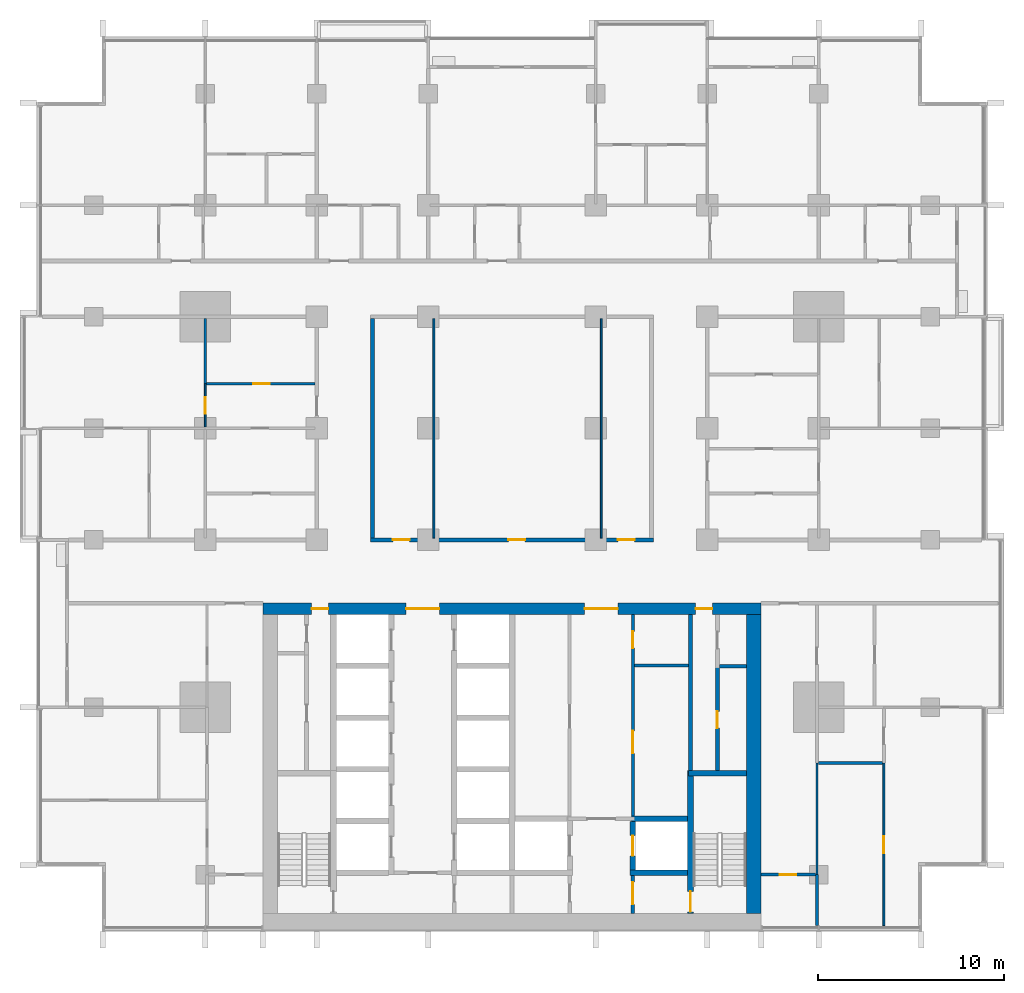
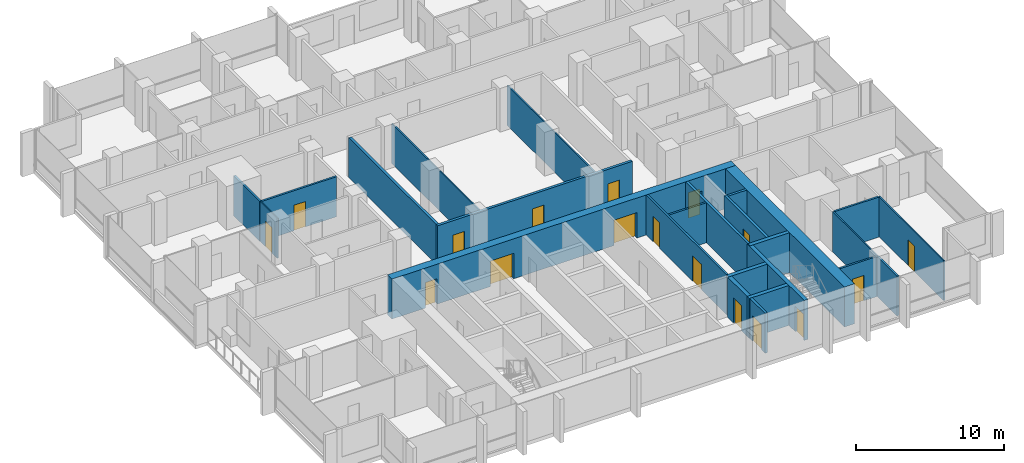
# One storey, part 9 of 19: 25 walls, 17 doors, 17 openings.
"""IFC4 building model written with IfcOpenShell, lengths in metres."""

from ifc_helpers import new_model, si_unit, direction, frame, frame_2d, origin, place, context, subcontext, project, spatial, rectangle, extrude, material, layer, layer_set, type_object, element, fill, save


model = new_model("IFC4")

# Units and contexts
model_context = context("Model", 3, precision=1e-05, world=origin(), true_north=direction((0.0, 1.0)))
body_context = subcontext(model_context, "Body", "Model", "MODEL_VIEW")
ifc_project = project(units=[si_unit("LENGTHUNIT", "METRE"), si_unit("AREAUNIT", "SQUARE_METRE"), si_unit("VOLUMEUNIT", "CUBIC_METRE"), si_unit("PLANEANGLEUNIT", "RADIAN"), si_unit("MASSUNIT", "GRAM", prefix="KILO")], contexts=[model_context])

# Site, building, storey
site_placement = place(None, origin())
site = spatial("IfcSite", under=ifc_project, at=site_placement, CompositionType="ELEMENT")
building_placement = place(site_placement, origin())
building = spatial("IfcBuilding", under=site, at=building_placement, Name="Finial Court Residences", CompositionType="ELEMENT")
storey_placement = place(building_placement, frame((0.0, 0.0, 88.300048828125)))
storey = spatial("IfcBuildingStorey", under=building, at=storey_placement, Name="L21", CompositionType="ELEMENT", Elevation=88.300048828125)

# Wall, openings, doors
ifc_material_1 = material(Name="Concrete C70/85", Category="concrete")
ifc_layer_1 = layer(ifc_material_1, 0.60009765625)
ifc_layer_set_1 = layer_set([ifc_layer_1], Name="Core outer wall 600 Concrete C70/85")
wall_type_1 = type_object("IfcWallType", Name="Core outer wall 600 Concrete C70/85", PredefinedType="SHEAR", material=ifc_layer_set_1)
wall_1_placement = place(storey_placement, frame((-13.39990234375, -8.199951171875, 0.0), z_axis=(0.0, 0.0, 1.0), x_axis=(1.0, 0.0, 0.0)))
wall_1 = element("IfcWall", 1, at=wall_1_placement, inside=storey, type_object=wall_type_1, Name="Core outer wall L21-02", PredefinedType="SHEAR", context=body_context, shape_type="SweptSolid", body=[
    extrude(rectangle(XDim=26.7998046875, YDim=0.60009765625, at=frame_2d((13.39990234375, 0.0))), origin(), (0.0, 0.0, 1.0), 3.300048828125),
])
opening_1_placement = place(wall_1_placement, frame((7.699951171875, 0.0, 0.0)))
opening_1 = element("IfcOpeningElement", 2, at=opening_1_placement, cuts=wall_1, Name="Opening L21-C04", PredefinedType="OPENING", context=body_context, shape_type="SweptSolid", body=[
    extrude(rectangle(XDim=1.800048828125, YDim=2.10009765625, at=frame_2d((0.89990234375, 1.050048828125))), frame((0.0, 0.31005859375, 0.0), z_axis=(0.0, -1.0, 0.0), x_axis=(1.0, 0.0, 0.0)), (0.0, 0.0, 1.0), 0.6201171875),
])
opening_2_placement = place(wall_1_placement, frame((17.300048828125, 0.0, 0.0)))
opening_2 = element("IfcOpeningElement", 3, at=opening_2_placement, cuts=wall_1, Name="Opening L21-C05", PredefinedType="OPENING", context=body_context, shape_type="SweptSolid", body=[
    extrude(rectangle(XDim=1.800048828125, YDim=2.10009765625, at=frame_2d((0.89990234375, 1.050048828125))), frame((0.0, 0.31005859375, 0.0), z_axis=(0.0, -1.0, 0.0), x_axis=(1.0, 0.0, 0.0)), (0.0, 0.0, 1.0), 0.6201171875),
])
opening_3_placement = place(wall_1_placement, frame((2.625, 0.0, 0.0)))
opening_3 = element("IfcOpeningElement", 4, at=opening_3_placement, cuts=wall_1, Name="Opening L21-C09", PredefinedType="OPENING", context=body_context, shape_type="SweptSolid", body=[
    extrude(rectangle(XDim=0.89990234375, YDim=2.10009765625, at=frame_2d((0.449951171875, 1.050048828125))), frame((0.0, 0.31005859375, 0.0), z_axis=(0.0, -1.0, 0.0), x_axis=(1.0, 0.0, 0.0)), (0.0, 0.0, 1.0), 0.6201171875),
])
opening_4_placement = place(wall_1_placement, frame((23.27490234375, 0.0, 0.0)))
opening_4 = element("IfcOpeningElement", 5, at=opening_4_placement, cuts=wall_1, Name="Opening L21-C10", PredefinedType="OPENING", context=body_context, shape_type="SweptSolid", body=[
    extrude(rectangle(XDim=0.89990234375, YDim=2.10009765625, at=frame_2d((0.449951171875, 1.050048828125))), frame((0.0, 0.31005859375, 0.0), z_axis=(0.0, -1.0, 0.0), x_axis=(1.0, 0.0, 0.0)), (0.0, 0.0, 1.0), 0.6201171875),
])
ifc_material_2 = material(Name="Steel fire door", Category="steel")
door_type_1 = type_object("IfcDoorType", Name="Lift lobby door 1800 x 2100 EI 60", OperationType="DOUBLE_DOOR_SINGLE_SWING", PredefinedType="DOOR", material=ifc_material_2)
door_1_placement = place(opening_1_placement, origin())
door_1 = element("IfcDoor", 6, at=door_1_placement, inside=storey, type_object=door_type_1, Name="Lift lobby door L21-C04", OperationType="DOUBLE_DOOR_SINGLE_SWING", OverallHeight=2.10009765625, OverallWidth=1.800048828125, PredefinedType="DOOR", context=body_context, shape_type="SweptSolid", body=[
    extrude(rectangle(XDim=1.800048828125, YDim=2.10009765625, at=frame_2d((0.89990234375, 1.050048828125))), frame((0.0, 0.02490234375, 0.0), z_axis=(0.0, -1.0, 0.0), x_axis=(1.0, 0.0, 0.0)), (0.0, 0.0, 1.0), 0.050048828125),
])
fill(opening_1, door_1)
door_2_placement = place(opening_2_placement, origin())
door_2 = element("IfcDoor", 7, at=door_2_placement, inside=storey, type_object=door_type_1, Name="Lift lobby door L21-C05", OperationType="DOUBLE_DOOR_SINGLE_SWING", OverallHeight=2.10009765625, OverallWidth=1.800048828125, PredefinedType="DOOR", context=body_context, shape_type="SweptSolid", body=[
    extrude(rectangle(XDim=1.800048828125, YDim=2.10009765625, at=frame_2d((0.89990234375, 1.050048828125))), frame((0.0, 0.02490234375, 0.0), z_axis=(0.0, -1.0, 0.0), x_axis=(1.0, 0.0, 0.0)), (0.0, 0.0, 1.0), 0.050048828125),
])
fill(opening_2, door_2)
door_type_2 = type_object("IfcDoorType", Name="Riser room door 900 x 2100 EI 90", OperationType="NOTDEFINED", PredefinedType="DOOR", material=ifc_material_2)
door_3_placement = place(opening_3_placement, origin())
door_3 = element("IfcDoor", 8, at=door_3_placement, inside=storey, type_object=door_type_2, Name="Riser room door L21-C09", OperationType="SINGLE_SWING_RIGHT", OverallHeight=2.10009765625, OverallWidth=0.89990234375, PredefinedType="DOOR", context=body_context, shape_type="SweptSolid", body=[
    extrude(rectangle(XDim=0.89990234375, YDim=2.10009765625, at=frame_2d((0.449951171875, 1.050048828125))), frame((0.0, 0.02490234375, 0.0), z_axis=(0.0, -1.0, 0.0), x_axis=(1.0, 0.0, 0.0)), (0.0, 0.0, 1.0), 0.050048828125),
])
fill(opening_3, door_3)
door_4_placement = place(opening_4_placement, origin())
door_4 = element("IfcDoor", 9, at=door_4_placement, inside=storey, type_object=door_type_2, Name="Riser room door L21-C10", OperationType="SINGLE_SWING_LEFT", OverallHeight=2.10009765625, OverallWidth=0.89990234375, PredefinedType="DOOR", context=body_context, shape_type="SweptSolid", body=[
    extrude(rectangle(XDim=0.89990234375, YDim=2.10009765625, at=frame_2d((0.449951171875, 1.050048828125))), frame((0.0, 0.02490234375, 0.0), z_axis=(0.0, -1.0, 0.0), x_axis=(1.0, 0.0, 0.0)), (0.0, 0.0, 1.0), 0.050048828125),
])
fill(opening_4, door_4)

# Walls
ifc_layer_2 = layer(ifc_material_1, 0.800048828125)
ifc_layer_set_2 = layer_set([ifc_layer_2], Name="Core outer wall 800 Concrete C70/85")
wall_type_2 = type_object("IfcWallType", Name="Core outer wall 800 Concrete C70/85", PredefinedType="SHEAR", material=ifc_layer_set_2)
wall_2_placement = place(storey_placement, frame((13.0, -24.60009765625, 0.0), z_axis=(0.0, 0.0, 1.0), x_axis=(0.0, 1.0, 0.0)))
element("IfcWall", 10, at=wall_2_placement, inside=storey, type_object=wall_type_2, Name="Core outer wall L21-04", PredefinedType="SHEAR", context=body_context, shape_type="SweptSolid", body=[
    extrude(rectangle(XDim=16.10009765625, YDim=0.800048828125, at=frame_2d((8.050048828125, 0.0))), origin(), (0.0, 0.0, 1.0), 3.300048828125),
])
ifc_material_3 = material(Name="Fire-rated gypsum board partition")
ifc_layer_3 = layer(ifc_material_3, 0.14990234375)
ifc_layer_set_3 = layer_set([ifc_layer_3], Name="Core room partition 150 EI 60")
wall_type_3 = type_object("IfcWallType", Name="Core room partition 150 EI 60", PredefinedType="PARTITIONING", material=ifc_layer_set_3)
wall_3_placement = place(storey_placement, frame((6.574951171875, -11.25, 0.0), z_axis=(0.0, 0.0, 1.0), x_axis=(1.0, 0.0, 0.0)))
element("IfcWall", 11, at=wall_3_placement, inside=storey, type_object=wall_type_3, Name="Core partition L21-19", PredefinedType="PARTITIONING", context=body_context, shape_type="SweptSolid", body=[
    extrude(rectangle(XDim=2.925048828125, YDim=0.14990234375, at=frame_2d((1.46240234375, 0.0))), origin(), (0.0, 0.0, 1.0), 3.300048828125),
])

# Wall, openings, doors
wall_4_placement = place(storey_placement, frame((6.5, -8.5, 0.0), z_axis=(0.0, 0.0, 1.0), x_axis=(0.0, -1.0, 0.0)))
wall_4 = element("IfcWall", 12, at=wall_4_placement, inside=storey, type_object=wall_type_3, Name="Core partition L21-35", PredefinedType="PARTITIONING", context=body_context, shape_type="SweptSolid", body=[
    extrude(rectangle(XDim=10.85009765625, YDim=0.14990234375, at=frame_2d((5.425048828125, 0.0))), origin(), (0.0, 0.0, 1.0), 3.300048828125),
])
opening_5_placement = place(wall_4_placement, frame((6.27490234375, 0.0, 0.0)))
opening_5 = element("IfcOpeningElement", 13, at=opening_5_placement, cuts=wall_4, Name="Opening L21-C15", PredefinedType="OPENING", context=body_context, shape_type="SweptSolid", body=[
    extrude(rectangle(XDim=1.199951171875, YDim=2.10009765625, at=frame_2d((0.60009765625, 1.050048828125))), frame((0.0, 0.0849609375, 0.0), z_axis=(0.0, -1.0, 0.0), x_axis=(1.0, 0.0, 0.0)), (0.0, 0.0, 1.0), 0.169921875),
])
opening_6_placement = place(wall_4_placement, frame((0.925048828125, 0.0, 0.0)))
opening_6 = element("IfcOpeningElement", 14, at=opening_6_placement, cuts=wall_4, Name="Opening L21-C16", PredefinedType="OPENING", context=body_context, shape_type="SweptSolid", body=[
    extrude(rectangle(XDim=0.89990234375, YDim=2.10009765625, at=frame_2d((0.449951171875, 1.050048828125))), frame((0.0, 0.0849609375, 0.0), z_axis=(0.0, -1.0, 0.0), x_axis=(1.0, 0.0, 0.0)), (0.0, 0.0, 1.0), 0.169921875),
])
door_type_3 = type_object("IfcDoorType", Name="Core room door 1200 x 2100 EI 60", OperationType="NOTDEFINED", PredefinedType="DOOR", material=ifc_material_2)
door_5_placement = place(opening_5_placement, origin())
door_5 = element("IfcDoor", 15, at=door_5_placement, inside=storey, type_object=door_type_3, Name="Core room door L21-C15", OperationType="SINGLE_SWING_RIGHT", OverallHeight=2.10009765625, OverallWidth=1.199951171875, PredefinedType="DOOR", context=body_context, shape_type="SweptSolid", body=[
    extrude(rectangle(XDim=1.199951171875, YDim=2.10009765625, at=frame_2d((0.60009765625, 1.050048828125))), frame((0.0, 0.02490234375, 0.0), z_axis=(0.0, -1.0, 0.0), x_axis=(1.0, 0.0, 0.0)), (0.0, 0.0, 1.0), 0.050048828125),
])
fill(opening_5, door_5)
door_type_4 = type_object("IfcDoorType", Name="Core room door 900 x 2100 EI 60", OperationType="NOTDEFINED", PredefinedType="DOOR", material=ifc_material_2)
door_6_placement = place(opening_6_placement, origin())
door_6 = element("IfcDoor", 16, at=door_6_placement, inside=storey, type_object=door_type_4, Name="Core room door L21-C16", OperationType="SINGLE_SWING_RIGHT", OverallHeight=2.10009765625, OverallWidth=0.89990234375, PredefinedType="DOOR", context=body_context, shape_type="SweptSolid", body=[
    extrude(rectangle(XDim=0.89990234375, YDim=2.10009765625, at=frame_2d((0.449951171875, 1.050048828125))), frame((0.0, 0.02490234375, 0.0), z_axis=(0.0, -1.0, 0.0), x_axis=(1.0, 0.0, 0.0)), (0.0, 0.0, 1.0), 0.050048828125),
])
fill(opening_6, door_6)

ifc_material_4 = material(Name="Gypsum board")
ifc_layer_4 = layer(ifc_material_4, 0.02490234375)
ifc_material_5 = material(Name="Acoustic mineral wool in double frame")
ifc_layer_5 = layer(ifc_material_5, 0.14990234375)
ifc_layer_6 = layer(ifc_material_4, 0.02490234375)
ifc_layer_set_4 = layer_set([ifc_layer_4, ifc_layer_5, ifc_layer_6], Name="Corridor wall 200, 1 hour")
wall_type_4 = type_object("IfcWallType", Name="Corridor wall 200, 1 hour", PredefinedType="PARTITIONING", material=ifc_layer_set_4)
wall_5_placement = place(storey_placement, frame((-7.60009765625, -4.5, 0.0), z_axis=(0.0, 0.0, 1.0), x_axis=(1.0, 0.0, 0.0)))
wall_5 = element("IfcWall", 17, at=wall_5_placement, inside=storey, type_object=wall_type_4, Name="Partition L21-012", PredefinedType="PARTITIONING", context=body_context, shape_type="SweptSolid", body=[
    extrude(rectangle(XDim=15.2001953125, YDim=0.199951171875, at=frame_2d((7.60009765625, 0.0))), origin(), (0.0, 0.0, 1.0), 3.300048828125),
])
opening_7_placement = place(wall_5_placement, frame((1.199951171875, 0.0, 0.0)))
opening_7 = element("IfcOpeningElement", 18, at=opening_7_placement, cuts=wall_5, Name="Opening L21-D007", PredefinedType="OPENING", context=body_context, shape_type="SweptSolid", body=[
    extrude(rectangle(XDim=0.89990234375, YDim=2.10009765625, at=frame_2d((0.449951171875, 1.050048828125))), frame((0.0, 0.10986328125, 0.0), z_axis=(0.0, -1.0, 0.0), x_axis=(1.0, 0.0, 0.0)), (0.0, 0.0, 1.0), 0.219970703125),
])
opening_8_placement = place(wall_5_placement, frame((7.39990234375, 0.0, 0.0)))
opening_8 = element("IfcOpeningElement", 19, at=opening_8_placement, cuts=wall_5, Name="Opening L21-D008", PredefinedType="OPENING", context=body_context, shape_type="SweptSolid", body=[
    extrude(rectangle(XDim=0.89990234375, YDim=2.10009765625, at=frame_2d((0.449951171875, 1.050048828125))), frame((0.0, 0.10986328125, 0.0), z_axis=(0.0, -1.0, 0.0), x_axis=(1.0, 0.0, 0.0)), (0.0, 0.0, 1.0), 0.219970703125),
])
opening_9_placement = place(wall_5_placement, frame((13.300048828125, 0.0, 0.0)))
opening_9 = element("IfcOpeningElement", 20, at=opening_9_placement, cuts=wall_5, Name="Opening L21-D009", PredefinedType="OPENING", context=body_context, shape_type="SweptSolid", body=[
    extrude(rectangle(XDim=0.89990234375, YDim=2.10009765625, at=frame_2d((0.449951171875, 1.050048828125))), frame((0.0, 0.10986328125, 0.0), z_axis=(0.0, -1.0, 0.0), x_axis=(1.0, 0.0, 0.0)), (0.0, 0.0, 1.0), 0.219970703125),
])
ifc_material_6 = material(Name="Timber door leaf in hollow metal frame", Category="wood")
door_type_5 = type_object("IfcDoorType", Name="Fire door set 900 x 2100, 30 minutes", OperationType="SINGLE_SWING_LEFT", PredefinedType="DOOR", material=ifc_material_6)
door_7_placement = place(opening_7_placement, origin())
door_7 = element("IfcDoor", 21, at=door_7_placement, inside=storey, type_object=door_type_5, Name="Door L21-D007", OperationType="SINGLE_SWING_RIGHT", OverallHeight=2.10009765625, OverallWidth=0.89990234375, PredefinedType="DOOR", context=body_context, shape_type="SweptSolid", body=[
    extrude(rectangle(XDim=0.89990234375, YDim=2.10009765625, at=frame_2d((0.449951171875, 1.050048828125))), frame((0.0, 0.02490234375, 0.0), z_axis=(0.0, -1.0, 0.0), x_axis=(1.0, 0.0, 0.0)), (0.0, 0.0, 1.0), 0.050048828125),
])
fill(opening_7, door_7)
door_8_placement = place(opening_8_placement, origin())
door_8 = element("IfcDoor", 22, at=door_8_placement, inside=storey, type_object=door_type_5, Name="Door L21-D008", OperationType="SINGLE_SWING_LEFT", OverallHeight=2.10009765625, OverallWidth=0.89990234375, PredefinedType="DOOR", context=body_context, shape_type="SweptSolid", body=[
    extrude(rectangle(XDim=0.89990234375, YDim=2.10009765625, at=frame_2d((0.449951171875, 1.050048828125))), frame((0.0, 0.02490234375, 0.0), z_axis=(0.0, -1.0, 0.0), x_axis=(1.0, 0.0, 0.0)), (0.0, 0.0, 1.0), 0.050048828125),
])
fill(opening_8, door_8)
door_9_placement = place(opening_9_placement, origin())
door_9 = element("IfcDoor", 23, at=door_9_placement, inside=storey, type_object=door_type_5, Name="Door L21-D009", OperationType="SINGLE_SWING_LEFT", OverallHeight=2.10009765625, OverallWidth=0.89990234375, PredefinedType="DOOR", context=body_context, shape_type="SweptSolid", body=[
    extrude(rectangle(XDim=0.89990234375, YDim=2.10009765625, at=frame_2d((0.449951171875, 1.050048828125))), frame((0.0, 0.02490234375, 0.0), z_axis=(0.0, -1.0, 0.0), x_axis=(1.0, 0.0, 0.0)), (0.0, 0.0, 1.0), 0.050048828125),
])
fill(opening_9, door_9)

# Wall
wall_6_placement = place(storey_placement, frame((-7.5, -4.39990234375, 0.0), z_axis=(0.0, 0.0, 1.0), x_axis=(0.0, 1.0, 0.0)))
element("IfcWall", 24, at=wall_6_placement, inside=storey, type_object=wall_type_4, Name="Partition L21-058", PredefinedType="PARTITIONING", context=body_context, shape_type="SweptSolid", body=[
    extrude(rectangle(XDim=11.7998046875, YDim=0.199951171875, at=frame_2d((5.89990234375, 0.0))), origin(), (0.0, 0.0, 1.0), 3.300048828125),
])

# Wall, opening, door
ifc_layer_7 = layer(ifc_material_3, 0.199951171875)
ifc_layer_set_5 = layer_set([ifc_layer_7], Name="Firefighting lobby wall 200 EI 120")
wall_type_5 = type_object("IfcWallType", Name="Firefighting lobby wall 200 EI 120", PredefinedType="PARTITIONING", material=ifc_layer_set_5)
wall_7_placement = place(storey_placement, frame((6.5, -22.550048828125, 0.0), z_axis=(0.0, 0.0, 1.0), x_axis=(0.0, -1.0, 0.0)))
wall_7 = element("IfcWall", 25, at=wall_7_placement, inside=storey, type_object=wall_type_5, Name="Core partition L21-33", PredefinedType="PARTITIONING", context=body_context, shape_type="SweptSolid", body=[
    extrude(rectangle(XDim=2.050048828125, YDim=0.199951171875, at=frame_2d((1.02490234375, 0.0))), origin(), (0.0, 0.0, 1.0), 3.300048828125),
])
opening_10_placement = place(wall_7_placement, frame((0.35009765625, 0.0, 0.0)))
opening_10 = element("IfcOpeningElement", 26, at=opening_10_placement, cuts=wall_7, Name="Opening L21-C01", PredefinedType="OPENING", context=body_context, shape_type="SweptSolid", body=[
    extrude(rectangle(XDim=1.199951171875, YDim=2.10009765625, at=frame_2d((0.60009765625, 1.050048828125))), frame((0.0, 0.10986328125, 0.0), z_axis=(0.0, -1.0, 0.0), x_axis=(1.0, 0.0, 0.0)), (0.0, 0.0, 1.0), 0.219970703125),
])
door_type_6 = type_object("IfcDoorType", Name="Firefighting lobby door 1200 x 2100 EI 90", OperationType="NOTDEFINED", PredefinedType="DOOR", material=ifc_material_2)
door_10_placement = place(opening_10_placement, origin())
door_10 = element("IfcDoor", 27, at=door_10_placement, inside=storey, type_object=door_type_6, Name="Firefighting lobby door L21-C01", OperationType="SINGLE_SWING_RIGHT", OverallHeight=2.10009765625, OverallWidth=1.199951171875, PredefinedType="DOOR", context=body_context, shape_type="SweptSolid", body=[
    extrude(rectangle(XDim=1.199951171875, YDim=2.10009765625, at=frame_2d((0.60009765625, 1.050048828125))), frame((0.0, 0.02490234375, 0.0), z_axis=(0.0, -1.0, 0.0), x_axis=(1.0, 0.0, 0.0)), (0.0, 0.0, 1.0), 0.050048828125),
])
fill(opening_10, door_10)

ifc_layer_8 = layer(ifc_material_4, 0.012451171875)
ifc_material_7 = material(Name="Mineral wool in light-gauge frame")
ifc_layer_9 = layer(ifc_material_7, 0.074951171875)
ifc_layer_10 = layer(ifc_material_4, 0.012451171875)
ifc_layer_set_6 = layer_set([ifc_layer_8, ifc_layer_9, ifc_layer_10], Name="Gypsum board partition 100")
wall_type_6 = type_object("IfcWallType", Name="Gypsum board partition 100", PredefinedType="PARTITIONING", material=ifc_layer_set_6)
wall_8_placement = place(storey_placement, frame((-16.5, 1.574951171875, 0.0), z_axis=(0.0, 0.0, 1.0), x_axis=(0.0, 1.0, 0.0)))
wall_8 = element("IfcWall", 28, at=wall_8_placement, inside=storey, type_object=wall_type_6, Name="Partition L21-045", PredefinedType="PARTITIONING", context=body_context, shape_type="SweptSolid", body=[
    extrude(rectangle(XDim=2.324951171875, YDim=0.10009765625, at=frame_2d((1.16259765625, 0.0))), origin(), (0.0, 0.0, 1.0), 3.300048828125),
])
opening_11_placement = place(wall_8_placement, frame((0.699951171875, 0.0, 0.0)))
opening_11 = element("IfcOpeningElement", 29, at=opening_11_placement, cuts=wall_8, Name="Opening L21-D034", PredefinedType="OPENING", context=body_context, shape_type="SweptSolid", body=[
    extrude(rectangle(XDim=0.89990234375, YDim=2.10009765625, at=frame_2d((0.449951171875, 1.050048828125))), frame((0.0, 0.06005859375, 0.0), z_axis=(0.0, -1.0, 0.0), x_axis=(1.0, 0.0, 0.0)), (0.0, 0.0, 1.0), 0.1201171875),
])
ifc_material_8 = material(Name="Timber door leaf in timber frame", Category="wood")
door_type_7 = type_object("IfcDoorType", Name="Door set 900 x 2100", OperationType="SINGLE_SWING_LEFT", PredefinedType="DOOR", material=ifc_material_8)
door_11_placement = place(opening_11_placement, origin())
door_11 = element("IfcDoor", 30, at=door_11_placement, inside=storey, type_object=door_type_7, Name="Door L21-D034", OperationType="SINGLE_SWING_RIGHT", OverallHeight=2.10009765625, OverallWidth=0.89990234375, PredefinedType="DOOR", context=body_context, shape_type="SweptSolid", body=[
    extrude(rectangle(XDim=0.89990234375, YDim=2.10009765625, at=frame_2d((0.449951171875, 1.050048828125))), frame((0.0, 0.02490234375, 0.0), z_axis=(0.0, -1.0, 0.0), x_axis=(1.0, 0.0, 0.0)), (0.0, 0.0, 1.0), 0.050048828125),
])
fill(opening_11, door_11)

# Walls
for number, where, z_axis, x_axis, name in (
    (31, (-4.199951171875, -4.39990234375, 0.0), (0.0, 0.0, 1.0), (0.0, 1.0, 0.0), "Partition L21-061"),
    (32, (4.800048828125, -4.39990234375, 0.0), (0.0, 0.0, 1.0), (0.0, 1.0, 0.0), "Partition L21-066"),
):
    element("IfcWall", number, at=place(storey_placement, frame(where, z_axis=z_axis, x_axis=x_axis)), inside=storey, type_object=wall_type_6, Name=name, PredefinedType="PARTITIONING", context=body_context, shape_type="SweptSolid", body=[
        extrude(rectangle(XDim=11.7998046875, YDim=0.10009765625, at=frame_2d((5.89990234375, 0.0))), origin(), (0.0, 0.0, 1.0), 3.300048828125),
    ])
wall_9_placement = place(storey_placement, frame((16.39990234375, -22.5, 0.0), z_axis=(0.0, 0.0, 1.0), x_axis=(0.0, 1.0, 0.0)))
element("IfcWall", 33, at=wall_9_placement, inside=storey, type_object=wall_type_6, Name="Partition L21-072", PredefinedType="PARTITIONING", context=body_context, shape_type="SweptSolid", body=[
    extrude(rectangle(XDim=6.0, YDim=0.10009765625, at=frame_2d((3.0, 0.0))), origin(), (0.0, 0.0, 1.0), 3.300048828125),
])

# Wall, opening, door
wall_10_placement = place(storey_placement, frame((20.0, -25.25, 0.0), z_axis=(0.0, 0.0, 1.0), x_axis=(0.0, 1.0, 0.0)))
wall_10 = element("IfcWall", 34, at=wall_10_placement, inside=storey, type_object=wall_type_6, Name="Partition L21-084", PredefinedType="PARTITIONING", context=body_context, shape_type="SweptSolid", body=[
    extrude(rectangle(XDim=8.75, YDim=0.10009765625, at=frame_2d((4.375, 0.0))), origin(), (0.0, 0.0, 1.0), 3.300048828125),
])
opening_12_placement = place(wall_10_placement, frame((3.89990234375, 0.0, 0.0)))
opening_12 = element("IfcOpeningElement", 35, at=opening_12_placement, cuts=wall_10, Name="Opening L21-D051", PredefinedType="OPENING", context=body_context, shape_type="SweptSolid", body=[
    extrude(rectangle(XDim=0.89990234375, YDim=2.10009765625, at=frame_2d((0.449951171875, 1.050048828125))), frame((0.0, 0.06005859375, 0.0), z_axis=(0.0, -1.0, 0.0), x_axis=(1.0, 0.0, 0.0)), (0.0, 0.0, 1.0), 0.1201171875),
])
door_12_placement = place(opening_12_placement, origin())
door_12 = element("IfcDoor", 36, at=door_12_placement, inside=storey, type_object=door_type_7, Name="Door L21-D051", OperationType="SINGLE_SWING_LEFT", OverallHeight=2.10009765625, OverallWidth=0.89990234375, PredefinedType="DOOR", context=body_context, shape_type="SweptSolid", body=[
    extrude(rectangle(XDim=0.89990234375, YDim=2.10009765625, at=frame_2d((0.449951171875, 1.050048828125))), frame((0.0, 0.02490234375, 0.0), z_axis=(0.0, -1.0, 0.0), x_axis=(1.0, 0.0, 0.0)), (0.0, 0.0, 1.0), 0.050048828125),
])
fill(opening_12, door_12)

ifc_material_9 = material(Name="Moisture-resistant gypsum board")
ifc_layer_11 = layer(ifc_material_9, 0.012451171875)
ifc_layer_12 = layer(ifc_material_7, 0.125)
ifc_layer_13 = layer(ifc_material_9, 0.012451171875)
ifc_layer_set_7 = layer_set([ifc_layer_11, ifc_layer_12, ifc_layer_13], Name="Gypsum board wet-area partition 150")
wall_type_7 = type_object("IfcWallType", Name="Gypsum board wet-area partition 150", PredefinedType="PARTITIONING", material=ifc_layer_set_7)
wall_11_placement = place(storey_placement, frame((13.39990234375, -22.5, 0.0), z_axis=(0.0, 0.0, 1.0), x_axis=(1.0, 0.0, 0.0)))
wall_11 = element("IfcWall", 37, at=wall_11_placement, inside=storey, type_object=wall_type_7, Name="Partition L21-001", PredefinedType="PARTITIONING", context=body_context, shape_type="SweptSolid", body=[
    extrude(rectangle(XDim=2.925048828125, YDim=0.14990234375, at=frame_2d((1.46240234375, 0.0))), origin(), (0.0, 0.0, 1.0), 3.300048828125),
])
opening_13_placement = place(wall_11_placement, frame((1.0, 0.0, 0.0)))
opening_13 = element("IfcOpeningElement", 38, at=opening_13_placement, cuts=wall_11, Name="Opening L21-D002", PredefinedType="OPENING", context=body_context, shape_type="SweptSolid", body=[
    extrude(rectangle(XDim=0.89990234375, YDim=2.10009765625, at=frame_2d((0.449951171875, 1.050048828125))), frame((0.0, 0.0849609375, 0.0), z_axis=(0.0, -1.0, 0.0), x_axis=(1.0, 0.0, 0.0)), (0.0, 0.0, 1.0), 0.169921875),
])
door_13_placement = place(opening_13_placement, origin())
door_13 = element("IfcDoor", 39, at=door_13_placement, inside=storey, type_object=door_type_7, Name="Door L21-D002", OperationType="SINGLE_SWING_LEFT", OverallHeight=2.10009765625, OverallWidth=0.89990234375, PredefinedType="DOOR", context=body_context, shape_type="SweptSolid", body=[
    extrude(rectangle(XDim=0.89990234375, YDim=2.10009765625, at=frame_2d((0.449951171875, 1.050048828125))), frame((0.0, 0.02490234375, 0.0), z_axis=(0.0, -1.0, 0.0), x_axis=(1.0, 0.0, 0.0)), (0.0, 0.0, 1.0), 0.050048828125),
])
fill(opening_13, door_13)

# Wall
wall_12_placement = place(storey_placement, frame((16.47509765625, -16.5, 0.0), z_axis=(0.0, 0.0, 1.0), x_axis=(1.0, 0.0, 0.0)))
element("IfcWall", 40, at=wall_12_placement, inside=storey, type_object=wall_type_7, Name="Partition L21-004", PredefinedType="PARTITIONING", context=body_context, shape_type="SweptSolid", body=[
    extrude(rectangle(XDim=3.449951171875, YDim=0.14990234375, at=frame_2d((1.72509765625, 0.0))), origin(), (0.0, 0.0, 1.0), 3.300048828125),
])

# Wall, opening, door
wall_13_placement = place(storey_placement, frame((-16.425048828125, 3.89990234375, 0.0), z_axis=(0.0, 0.0, 1.0), x_axis=(1.0, 0.0, 0.0)))
wall_13 = element("IfcWall", 41, at=wall_13_placement, inside=storey, type_object=wall_type_7, Name="Partition L21-020", PredefinedType="PARTITIONING", context=body_context, shape_type="SweptSolid", body=[
    extrude(rectangle(XDim=5.824951171875, YDim=0.14990234375, at=frame_2d((2.91259765625, 0.0))), origin(), (0.0, 0.0, 1.0), 3.300048828125),
])
opening_14_placement = place(wall_13_placement, frame((2.5, 0.0, 0.0)))
opening_14 = element("IfcOpeningElement", 42, at=opening_14_placement, cuts=wall_13, Name="Opening L21-D016", PredefinedType="OPENING", context=body_context, shape_type="SweptSolid", body=[
    extrude(rectangle(XDim=0.89990234375, YDim=2.10009765625, at=frame_2d((0.449951171875, 1.050048828125))), frame((0.0, 0.0849609375, 0.0), z_axis=(0.0, -1.0, 0.0), x_axis=(1.0, 0.0, 0.0)), (0.0, 0.0, 1.0), 0.169921875),
])
door_14_placement = place(opening_14_placement, origin())
door_14 = element("IfcDoor", 43, at=door_14_placement, inside=storey, type_object=door_type_7, Name="Door L21-D016", OperationType="SINGLE_SWING_LEFT", OverallHeight=2.10009765625, OverallWidth=0.89990234375, PredefinedType="DOOR", context=body_context, shape_type="SweptSolid", body=[
    extrude(rectangle(XDim=0.89990234375, YDim=2.10009765625, at=frame_2d((0.449951171875, 1.050048828125))), frame((0.0, 0.02490234375, 0.0), z_axis=(0.0, -1.0, 0.0), x_axis=(1.0, 0.0, 0.0)), (0.0, 0.0, 1.0), 0.050048828125),
])
fill(opening_14, door_14)

# Walls
wall_14_placement = place(storey_placement, frame((-16.5, 3.89990234375, 0.0), z_axis=(0.0, 0.0, 1.0), x_axis=(0.0, 1.0, 0.0)))
element("IfcWall", 44, at=wall_14_placement, inside=storey, type_object=wall_type_7, Name="Partition L21-048", PredefinedType="PARTITIONING", context=body_context, shape_type="SweptSolid", body=[
    extrude(rectangle(XDim=3.5, YDim=0.14990234375, at=frame_2d((1.75, 0.0))), origin(), (0.0, 0.0, 1.0), 3.300048828125),
])
wall_15_placement = place(storey_placement, frame((16.39990234375, -25.25, 0.0), z_axis=(0.0, 0.0, 1.0), x_axis=(0.0, 1.0, 0.0)))
element("IfcWall", 45, at=wall_15_placement, inside=storey, type_object=wall_type_7, Name="Partition L21-073", PredefinedType="PARTITIONING", context=body_context, shape_type="SweptSolid", body=[
    extrude(rectangle(XDim=2.75, YDim=0.14990234375, at=frame_2d((1.375, 0.0))), origin(), (0.0, 0.0, 1.0), 3.300048828125),
])
ifc_layer_14 = layer(ifc_material_1, 0.300048828125)
ifc_layer_set_8 = layer_set([ifc_layer_14], Name="Lift shaft and stair wall 300 Concrete C70/85")
wall_type_8 = type_object("IfcWallType", Name="Lift shaft and stair wall 300 Concrete C70/85", PredefinedType="SHEAR", material=ifc_layer_set_8)
wall_16_placement = place(storey_placement, frame((6.35009765625, -22.39990234375, 0.0), z_axis=(0.0, 0.0, 1.0), x_axis=(1.0, 0.0, 0.0)))
element("IfcWall", 46, at=wall_16_placement, inside=storey, type_object=wall_type_8, Name="Core wall L21-04", PredefinedType="SHEAR", context=body_context, shape_type="SweptSolid", body=[
    extrude(rectangle(XDim=3.099853515625, YDim=0.300048828125, at=frame_2d((1.5498046875, 0.0))), origin(), (0.0, 0.0, 1.0), 3.300048828125),
])
wall_17_placement = place(storey_placement, frame((6.425048828125, -19.5, 0.0), z_axis=(0.0, 0.0, 1.0), x_axis=(1.0, 0.0, 0.0)))
element("IfcWall", 47, at=wall_17_placement, inside=storey, type_object=wall_type_8, Name="Core wall L21-09", PredefinedType="SHEAR", context=body_context, shape_type="SweptSolid", body=[
    extrude(rectangle(XDim=3.02490234375, YDim=0.300048828125, at=frame_2d((1.512451171875, 0.0))), origin(), (0.0, 0.0, 1.0), 3.300048828125),
])
wall_18_placement = place(storey_placement, frame((9.5, -17.050048828125, 0.0), z_axis=(0.0, 0.0, 1.0), x_axis=(1.0, 0.0, 0.0)))
element("IfcWall", 48, at=wall_18_placement, inside=storey, type_object=wall_type_8, Name="Core wall L21-11", PredefinedType="SHEAR", context=body_context, shape_type="SweptSolid", body=[
    extrude(rectangle(XDim=3.10009765625, YDim=0.300048828125, at=frame_2d((1.550048828125, 0.0))), origin(), (0.0, 0.0, 1.0), 3.300048828125),
])

# Wall, opening, door
wall_19_placement = place(storey_placement, frame((6.5, -22.25, 0.0), z_axis=(0.0, 0.0, 1.0), x_axis=(0.0, 1.0, 0.0)))
wall_19 = element("IfcWall", 49, at=wall_19_placement, inside=storey, type_object=wall_type_8, Name="Core wall L21-34", PredefinedType="SHEAR", context=body_context, shape_type="SweptSolid", body=[
    extrude(rectangle(XDim=2.60009765625, YDim=0.300048828125, at=frame_2d((1.300048828125, 0.0))), origin(), (0.0, 0.0, 1.0), 3.300048828125),
])
opening_15_placement = place(wall_19_placement, frame((0.75, 0.0, 0.0)))
opening_15 = element("IfcOpeningElement", 50, at=opening_15_placement, cuts=wall_19, Name="Opening L21-LD02", PredefinedType="OPENING", context=body_context, shape_type="SweptSolid", body=[
    extrude(rectangle(XDim=1.10009765625, YDim=2.10009765625, at=frame_2d((0.550048828125, 1.050048828125))), frame((0.0, 0.159912109375, 0.0), z_axis=(0.0, -1.0, 0.0), x_axis=(1.0, 0.0, 0.0)), (0.0, 0.0, 1.0), 0.320068359375),
])
ifc_material_10 = material(Name="Stainless steel lift door", Category="steel")
door_type_8 = type_object("IfcDoorType", Name="Lift landing door 1100 x 2100 EI 90", OperationType="DOUBLE_DOOR_SLIDING", PredefinedType="DOOR", material=ifc_material_10)
door_15_placement = place(opening_15_placement, origin())
door_15 = element("IfcDoor", 51, at=door_15_placement, inside=storey, type_object=door_type_8, Name="Lift landing door FF2 L21", OperationType="DOUBLE_DOOR_SLIDING", OverallHeight=2.10009765625, OverallWidth=1.10009765625, PredefinedType="DOOR", context=body_context, shape_type="SweptSolid", body=[
    extrude(rectangle(XDim=1.10009765625, YDim=2.10009765625, at=frame_2d((0.550048828125, 1.050048828125))), frame((0.0, 0.02490234375, 0.0), z_axis=(0.0, -1.0, 0.0), x_axis=(1.0, 0.0, 0.0)), (0.0, 0.0, 1.0), 0.050048828125),
])
fill(opening_15, door_15)

wall_20_placement = place(storey_placement, frame((9.60009765625, -16.89990234375, 0.0), z_axis=(0.0, 0.0, 1.0), x_axis=(0.0, -1.0, 0.0)))
wall_20 = element("IfcWall", 52, at=wall_20_placement, inside=storey, type_object=wall_type_8, Name="Core wall L21-36", PredefinedType="SHEAR", context=body_context, shape_type="SweptSolid", body=[
    extrude(rectangle(XDim=7.7001953125, YDim=0.300048828125, at=frame_2d((3.85009765625, 0.0))), origin(), (0.0, 0.0, 1.0), 3.300048828125),
])
opening_16_placement = place(wall_20_placement, frame((6.5, 0.0, 0.0)))
opening_16 = element("IfcOpeningElement", 53, at=opening_16_placement, cuts=wall_20, Name="Opening L21-C18", PredefinedType="OPENING", context=body_context, shape_type="SweptSolid", body=[
    extrude(rectangle(XDim=1.10009765625, YDim=2.10009765625, at=frame_2d((0.550048828125, 1.050048828125))), frame((0.0, 0.159912109375, 0.0), z_axis=(0.0, -1.0, 0.0), x_axis=(1.0, 0.0, 0.0)), (0.0, 0.0, 1.0), 0.320068359375),
])
door_type_9 = type_object("IfcDoorType", Name="Stair door 1100 x 2100 EI 90", OperationType="NOTDEFINED", PredefinedType="DOOR", material=ifc_material_2)
door_16_placement = place(opening_16_placement, origin())
door_16 = element("IfcDoor", 54, at=door_16_placement, inside=storey, type_object=door_type_9, Name="Stair door L21-C18", OperationType="SINGLE_SWING_RIGHT", OverallHeight=2.10009765625, OverallWidth=1.10009765625, PredefinedType="DOOR", context=body_context, shape_type="SweptSolid", body=[
    extrude(rectangle(XDim=1.10009765625, YDim=2.10009765625, at=frame_2d((0.550048828125, 1.050048828125))), frame((0.0, 0.02490234375, 0.0), z_axis=(0.0, -1.0, 0.0), x_axis=(1.0, 0.0, 0.0)), (0.0, 0.0, 1.0), 0.050048828125),
])
fill(opening_16, door_16)

# Walls
ifc_layer_15 = layer(ifc_material_3, 0.199951171875)
ifc_layer_set_9 = layer_set([ifc_layer_15], Name="Riser room wall 200 EI 120")
wall_type_9 = type_object("IfcWallType", Name="Riser room wall 200 EI 120", PredefinedType="PARTITIONING", material=ifc_layer_set_9)
wall_21_placement = place(storey_placement, frame((11.14990234375, -11.300048828125, 0.0), z_axis=(0.0, 0.0, 1.0), x_axis=(1.0, 0.0, 0.0)))
element("IfcWall", 55, at=wall_21_placement, inside=storey, type_object=wall_type_9, Name="Core partition L21-16", PredefinedType="PARTITIONING", context=body_context, shape_type="SweptSolid", body=[
    extrude(rectangle(XDim=1.4501953125, YDim=0.199951171875, at=frame_2d((0.72509765625, 0.0))), origin(), (0.0, 0.0, 1.0), 3.300048828125),
])
ifc_layer_16 = layer(ifc_material_3, 0.199951171875)
ifc_layer_set_10 = layer_set([ifc_layer_16], Name="Stair passage wall 200 EI 180")
wall_type_10 = type_object("IfcWallType", Name="Stair passage wall 200 EI 180", PredefinedType="PARTITIONING", material=ifc_layer_set_10)
wall_22_placement = place(storey_placement, frame((9.60009765625, -16.89990234375, 0.0), z_axis=(0.0, 0.0, 1.0), x_axis=(0.0, 1.0, 0.0)))
element("IfcWall", 56, at=wall_22_placement, inside=storey, type_object=wall_type_10, Name="Core partition L21-37", PredefinedType="PARTITIONING", context=body_context, shape_type="SweptSolid", body=[
    extrude(rectangle(XDim=8.39990234375, YDim=0.199951171875, at=frame_2d((4.199951171875, 0.0))), origin(), (0.0, 0.0, 1.0), 3.300048828125),
])

# Wall, opening, door
wall_23_placement = place(storey_placement, frame((11.050048828125, -11.199951171875, 0.0), z_axis=(0.0, 0.0, 1.0), x_axis=(0.0, -1.0, 0.0)))
wall_23 = element("IfcWall", 57, at=wall_23_placement, inside=storey, type_object=wall_type_10, Name="Core partition L21-38", PredefinedType="PARTITIONING", context=body_context, shape_type="SweptSolid", body=[
    extrude(rectangle(XDim=5.699951171875, YDim=0.199951171875, at=frame_2d((2.85009765625, 0.0))), origin(), (0.0, 0.0, 1.0), 3.300048828125),
])
opening_17_placement = place(wall_23_placement, frame((2.52490234375, 0.0, 0.0)))
opening_17 = element("IfcOpeningElement", 58, at=opening_17_placement, cuts=wall_23, Name="Opening L21-C13", PredefinedType="OPENING", context=body_context, shape_type="SweptSolid", body=[
    extrude(rectangle(XDim=0.89990234375, YDim=2.10009765625, at=frame_2d((0.449951171875, 1.050048828125))), frame((0.0, 0.10986328125, 0.0), z_axis=(0.0, -1.0, 0.0), x_axis=(1.0, 0.0, 0.0)), (0.0, 0.0, 1.0), 0.219970703125),
])
door_17_placement = place(opening_17_placement, origin())
door_17 = element("IfcDoor", 59, at=door_17_placement, inside=storey, type_object=door_type_4, Name="Core room door L21-C13", OperationType="SINGLE_SWING_RIGHT", OverallHeight=2.10009765625, OverallWidth=0.89990234375, PredefinedType="DOOR", context=body_context, shape_type="SweptSolid", body=[
    extrude(rectangle(XDim=0.89990234375, YDim=2.10009765625, at=frame_2d((0.449951171875, 1.050048828125))), frame((0.0, 0.02490234375, 0.0), z_axis=(0.0, -1.0, 0.0), x_axis=(1.0, 0.0, 0.0)), (0.0, 0.0, 1.0), 0.050048828125),
])
fill(opening_17, door_17)

save(model, "model.ifc")
